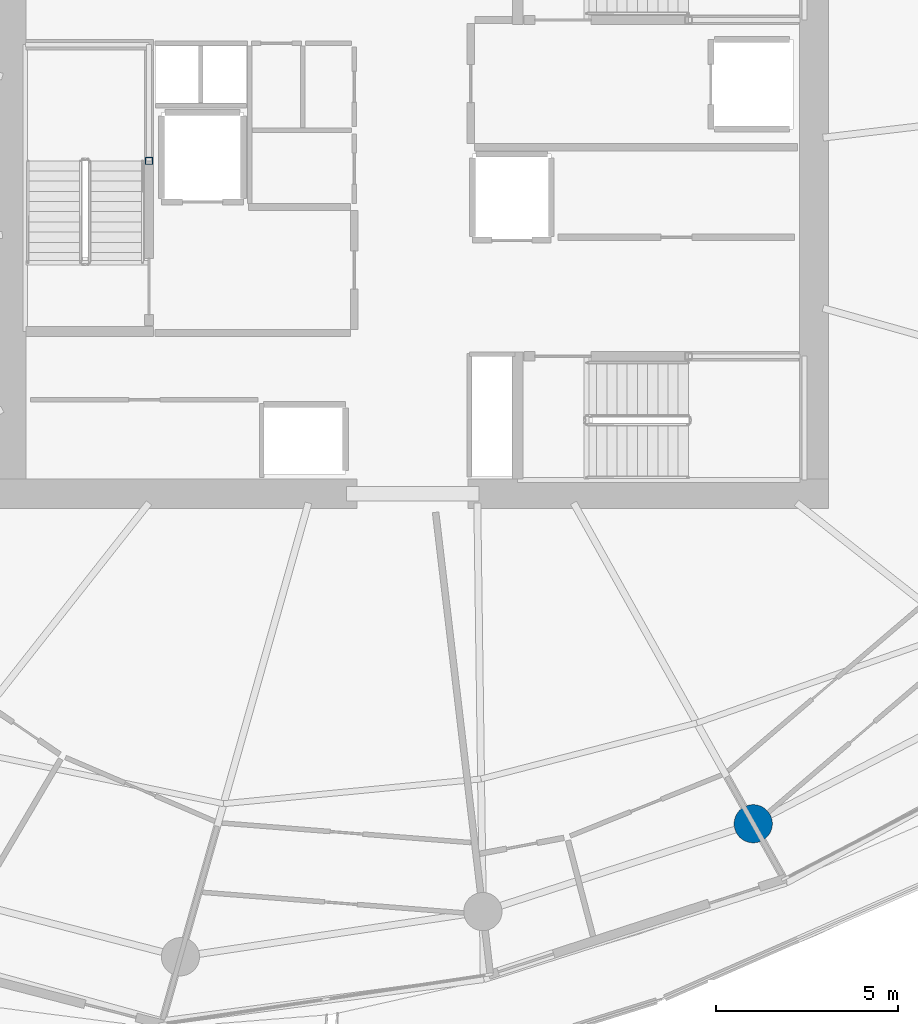
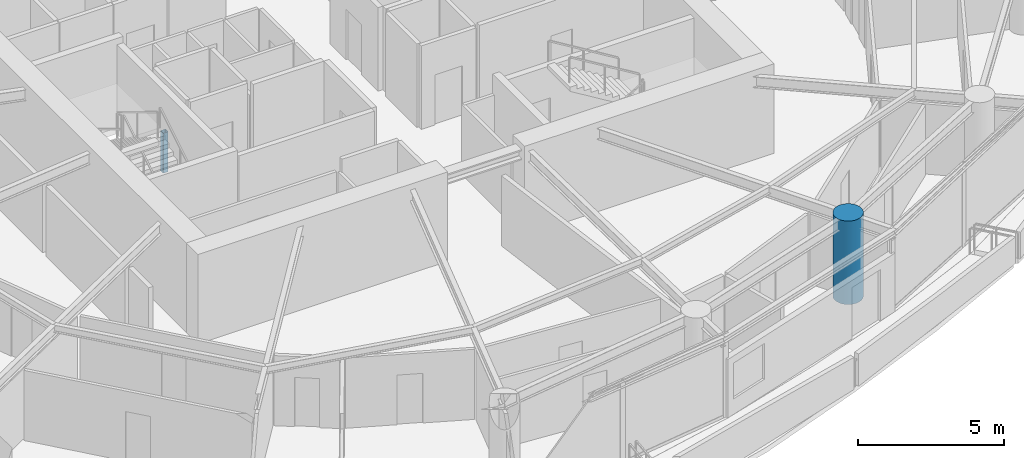
# One storey, part 2 of 20: 2 columns.
"""IFC4 building model written with IfcOpenShell, lengths in metres."""

from ifc_helpers import new_model, si_unit, direction, frame, origin, origin_2d, place, context, subcontext, project, spatial, hollow_rectangle, circle, extrude, material, material_profile, profile_set, type_object, element, save


model = new_model("IFC4")

# Units and contexts
model_context = context("Model", 3, precision=1e-05, world=origin(), true_north=direction((0.0, 1.0)))
body_context = subcontext(model_context, "Body", "Model", "MODEL_VIEW")
ifc_project = project(units=[si_unit("LENGTHUNIT", "METRE"), si_unit("AREAUNIT", "SQUARE_METRE"), si_unit("VOLUMEUNIT", "CUBIC_METRE"), si_unit("PLANEANGLEUNIT", "RADIAN"), si_unit("MASSUNIT", "GRAM", prefix="KILO")], contexts=[model_context])

# Site, building, storey
site_placement = place(None, origin())
site = spatial("IfcSite", under=ifc_project, at=site_placement, CompositionType="ELEMENT")
building_placement = place(site_placement, origin())
building = spatial("IfcBuilding", under=site, at=building_placement, Name="Kazma Halo Residences", CompositionType="ELEMENT")
storey_placement = place(building_placement, frame((0.0, 0.0, 146.550048828125)))
storey = spatial("IfcBuildingStorey", under=building, at=storey_placement, Name="L36", CompositionType="ELEMENT", Elevation=146.550048828125)

# Columns
ifc_material_1 = material(Name="Steel S355", Category="steel")
ifc_material_profile_1 = material_profile(ifc_material_1, hollow_rectangle(XDim=0.199951171875, YDim=0.199951171875, WallThickness=0.010009765625, InnerFilletRadius=0.010009765625, OuterFilletRadius=0.02001953125, at=origin_2d()), Name="SHS200x200x10")
ifc_profile_set_1 = profile_set([ifc_material_profile_1], Name="Steel S355")
column_type_1 = type_object("IfcColumnType", Name="COL-LP-SHS200", PredefinedType="COLUMN", material=ifc_profile_set_1)
column_1_placement = place(storey_placement, frame((41.179931640625, 42.75, 0.0), z_axis=(0.0, 0.0, 1.0), x_axis=(1.0, 0.0, 0.0)))
element("IfcColumn", 1, at=column_1_placement, inside=storey, type_object=column_type_1, Name="L36 ST-01 landing pilaster 1", PredefinedType="COLUMN", context=body_context, shape_type="SweptSolid", body=[
    extrude(hollow_rectangle(XDim=0.199951171875, YDim=0.199951171875, WallThickness=0.010009765625, InnerFilletRadius=0.010009765625, OuterFilletRadius=0.02001953125, at=origin_2d()), origin(), (0.0, 0.0, 1.0), 1.669921875),
])
ifc_material_2 = material(Name="Concrete C80/95", Category="concrete")
ifc_material_profile_2 = material_profile(ifc_material_2, circle(Radius=0.52490234375, at=origin_2d()), Name="CIRC1050")
ifc_profile_set_2 = profile_set([ifc_material_profile_2], Name="Concrete C80/95")
column_type_2 = type_object("IfcColumnType", Name="COL-PERIM-1050", PredefinedType="COLUMN", material=ifc_profile_set_2)
column_2_placement = place(storey_placement, frame((57.781982421875, 24.53271484375, 0.0), z_axis=(0.0, 0.0, 1.0), x_axis=(1.0, 0.0, 0.0)))
element("IfcColumn", 2, at=column_2_placement, inside=storey, type_object=column_type_2, Name="L36 perimeter ring column P13", PredefinedType="COLUMN", context=body_context, shape_type="SweptSolid", body=[
    extrude(circle(Radius=0.52490234375, at=origin_2d()), origin(), (0.0, 0.0, 1.0), 3.5),
])

save(model, "model.ifc")
